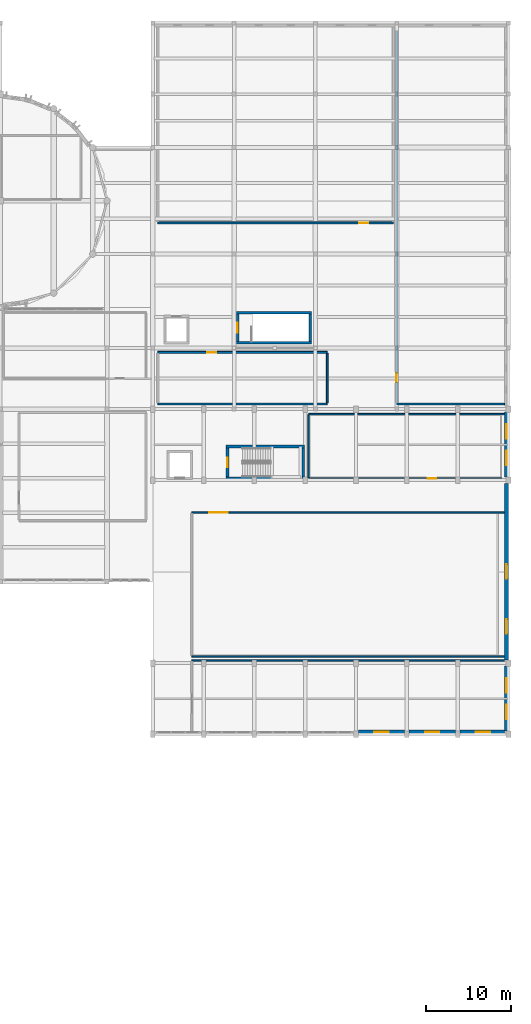
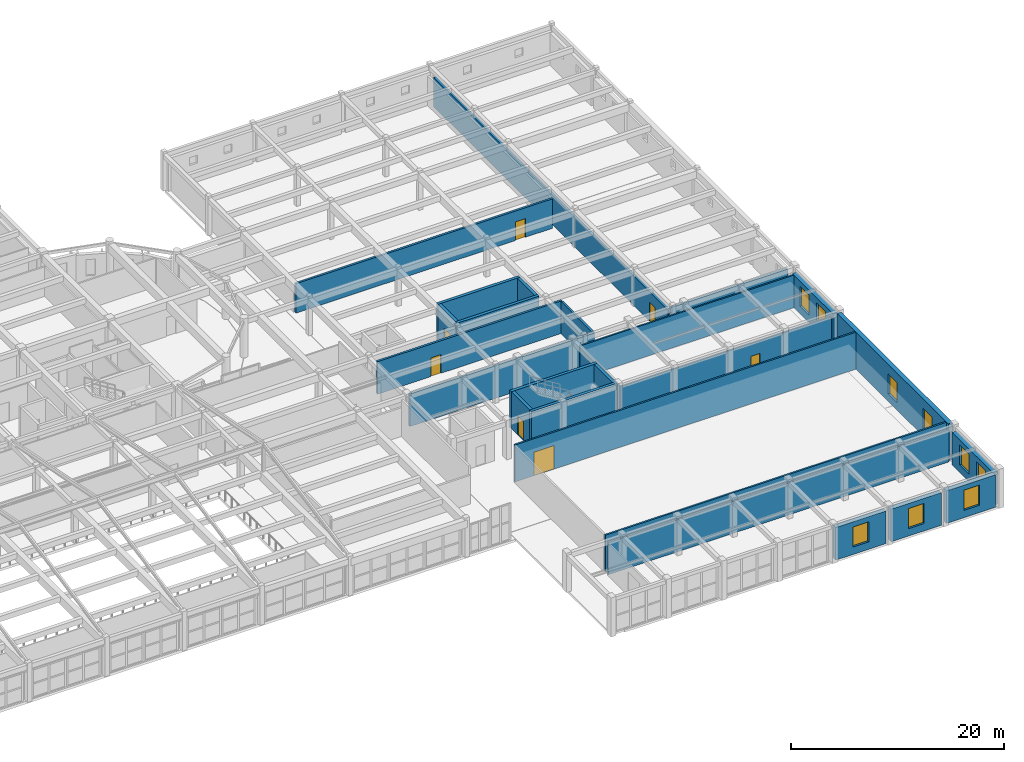
# One storey, part 73 of 91: 26 walls, 9 windows, 7 doors, 16 openings.
"""IFC4 building model written with IfcOpenShell, lengths in metres."""

from ifc_helpers import new_model, si_unit, direction, frame, frame_2d, origin, place, context, subcontext, project, spatial, rectangle, extrude, material, layer, layer_set, type_object, element, fill, save


model = new_model("IFC4")

# Units and contexts
model_context = context("Model", 3, precision=1e-05, world=origin(), true_north=direction((0.0, 1.0)))
body_context = subcontext(model_context, "Body", "Model", "MODEL_VIEW")
ifc_project = project(units=[si_unit("LENGTHUNIT", "METRE"), si_unit("AREAUNIT", "SQUARE_METRE"), si_unit("VOLUMEUNIT", "CUBIC_METRE"), si_unit("PLANEANGLEUNIT", "RADIAN"), si_unit("MASSUNIT", "GRAM", prefix="KILO")], contexts=[model_context])

# Site, building, storey
site_placement = place(None, origin())
site = spatial("IfcSite", under=ifc_project, at=site_placement, CompositionType="ELEMENT")
building_placement = place(site_placement, origin())
building = spatial("IfcBuilding", under=site, at=building_placement, Name="Tarnavel Promenade Courthouse", CompositionType="ELEMENT")
storey_placement = place(building_placement, frame((0.0, 0.0, 9.89990234375)))
storey = spatial("IfcBuildingStorey", under=building, at=storey_placement, Name="L03", CompositionType="ELEMENT", Elevation=9.89990234375)

# Wall
ifc_material_1 = material(Name="Acoustic Insulated Gypsum Stud Partition", Category="gypsum")
ifc_layer_1 = layer(ifc_material_1, 0.1650390625)
ifc_layer_set_1 = layer_set([ifc_layer_1], Name="Acoustic Insulated Gypsum Stud Partition")
wall_type_1 = type_object("IfcWallType", Name="Acoustic Insulated Gypsum Stud Partition WL-CHM-165 (165 mm)", PredefinedType="PARTITIONING", material=ifc_layer_set_1)
wall_1_placement = place(storey_placement, frame((138.39990234375, 66.60009765625, 0.0), z_axis=(0.0, 0.0, 1.0), x_axis=(1.0, 0.0, 0.0)))
element("IfcWall", 1, at=wall_1_placement, inside=storey, type_object=wall_type_1, Name="L03 Presiding Justices' Ceremonial Robing Suite Partition 0512", PredefinedType="PARTITIONING", context=body_context, shape_type="SweptSolid", body=[
    extrude(rectangle(XDim=23.1259765625, YDim=0.1650390625, at=frame_2d((11.56298828125, 0.0))), origin(), (0.0, 0.0, 1.0), 3.72998046875),
])

# Wall, opening, door
wall_2_placement = place(storey_placement, frame((161.199951171875, 59.0, 0.0), z_axis=(0.0, 0.0, 1.0), x_axis=(-1.0, 0.0, 0.0)))
wall_2 = element("IfcWall", 2, at=wall_2_placement, inside=storey, type_object=wall_type_1, Name="L03 Presiding Justices' Ceremonial Robing Suite Partition 0513", PredefinedType="PARTITIONING", context=body_context, shape_type="SweptSolid", body=[
    extrude(rectangle(XDim=22.800048828125, YDim=0.1650390625, at=frame_2d((11.39990234375, 0.0))), origin(), (0.0, 0.0, 1.0), 3.68017578125),
])
opening_1_placement = place(wall_2_placement, frame((7.741943359375, 0.0, 0.0)))
opening_1 = element("IfcOpeningElement", 3, at=opening_1_placement, cuts=wall_2, Name="Opening ID-04", PredefinedType="OPENING", context=body_context, shape_type="SweptSolid", body=[
    extrude(rectangle(XDim=0.97998046875, YDim=2.199951171875, at=frame_2d((0.489990234375, 1.10009765625))), frame((0.0, 0.092529296875, 0.0), z_axis=(0.0, -1.0, 0.0), x_axis=(1.0, 0.0, 0.0)), (0.0, 0.0, 1.0), 0.18505859375),
])
ifc_material_2 = material(Name="Solid Oak Judges Chambers Door")
door_type_1 = type_object("IfcDoorType", Name="Solid Oak Judges Chambers Door (DR-CHM-0980x2200)", OperationType="NOTDEFINED", PredefinedType="DOOR", material=ifc_material_2)
door_1_placement = place(opening_1_placement, origin())
door_1 = element("IfcDoor", 4, at=door_1_placement, inside=storey, type_object=door_type_1, Name="L03 Presiding Justices' Ceremonial Robing Suite Door 0147", OperationType="SINGLE_SWING_LEFT", OverallHeight=2.199951171875, OverallWidth=0.97998046875, PredefinedType="DOOR", context=body_context, shape_type="SweptSolid", body=[
    extrude(rectangle(XDim=0.97998046875, YDim=2.199951171875, at=frame_2d((0.489990234375, 1.10009765625))), frame((0.0, 0.02490234375, 0.0), z_axis=(0.0, -1.0, 0.0), x_axis=(1.0, 0.0, 0.0)), (0.0, 0.0, 1.0), 0.050048828125),
])
fill(opening_1, door_1)

# Walls
wall_3_placement = place(storey_placement, frame((138.39990234375, 59.092529296875, 0.0), z_axis=(0.0, 0.0, 1.0), x_axis=(0.0, 1.0, 0.0)))
element("IfcWall", 5, at=wall_3_placement, inside=storey, type_object=wall_type_1, Name="L03 Presiding Justices' Ceremonial Robing Suite Partition 0514", PredefinedType="PARTITIONING", context=body_context, shape_type="SweptSolid", body=[
    extrude(rectangle(XDim=7.4150390625, YDim=0.1650390625, at=frame_2d((3.70751953125, 0.0))), origin(), (0.0, 0.0, 1.0), 3.68017578125),
])
ifc_material_3 = material(Name="Concrete C40/50", Category="concrete")
ifc_layer_2 = layer(ifc_material_3, 0.320068359375)
ifc_layer_set_2 = layer_set([ifc_layer_2], Name="Concrete C40/50")
wall_type_2 = type_object("IfcWallType", Name="Concrete C40/50 WL-SHR-320 (320 mm)", PredefinedType="SHEAR", material=ifc_layer_set_2)
for number, where, z_axis, x_axis, name in (
    (6, (129.860107421875, 78.580078125, 0.0), (0.0, 0.0, 1.0), (1.0, 0.0, 0.0), "L03 ST-06 Shear Core North Wall"),
    (7, (138.739990234375, 75.02001953125, 0.0), (0.0, 0.0, 1.0), (-1.0, 0.0, 0.0), "L03 ST-06 Shear Core South Wall"),
):
    element("IfcWall", number, at=place(storey_placement, frame(where, z_axis=z_axis, x_axis=x_axis)), inside=storey, type_object=wall_type_2, Name=name, PredefinedType="SHEAR", context=body_context, shape_type="SweptSolid", body=[
        extrude(rectangle(XDim=8.8798828125, YDim=0.320068359375, at=frame_2d((4.43994140625, 0.0))), origin(), (0.0, 0.0, 1.0), 4.25),
    ])

# Wall, opening, door
wall_4_placement = place(storey_placement, frame((130.02001953125, 75.179931640625, 0.0), z_axis=(0.0, 0.0, 1.0), x_axis=(0.0, 1.0, 0.0)))
wall_4 = element("IfcWall", 8, at=wall_4_placement, inside=storey, type_object=wall_type_2, Name="L03 ST-06 Shear Core West Landing Wall", PredefinedType="SHEAR", context=body_context, shape_type="SweptSolid", body=[
    extrude(rectangle(XDim=3.239990234375, YDim=0.320068359375, at=frame_2d((1.6201171875, 0.0))), origin(), (0.0, 0.0, 1.0), 4.25),
])
opening_2_placement = place(wall_4_placement, frame((1.044921875, 0.0, 0.0)))
opening_2 = element("IfcOpeningElement", 9, at=opening_2_placement, cuts=wall_4, Name="Opening FD-01", PredefinedType="OPENING", context=body_context, shape_type="SweptSolid", body=[
    extrude(rectangle(XDim=1.14990234375, YDim=2.199951171875, at=frame_2d((0.574951171875, 1.10009765625))), frame((0.0, 0.169921875, 0.0), z_axis=(0.0, -1.0, 0.0), x_axis=(1.0, 0.0, 0.0)), (0.0, 0.0, 1.0), 0.340087890625),
])
ifc_material_4 = material(Name="Steel Fire-Rated Stair Core Door", Category="steel")
door_type_2 = type_object("IfcDoorType", Name="Steel Fire-Rated Stair Core Door (DR-ST-1150x2200)", OperationType="NOTDEFINED", PredefinedType="DOOR", material=ifc_material_4)
door_2_placement = place(opening_2_placement, origin())
door_2 = element("IfcDoor", 10, at=door_2_placement, inside=storey, type_object=door_type_2, Name="L03 ST-06 Protected Exit Stair Door", OperationType="SINGLE_SWING_RIGHT", OverallHeight=2.199951171875, OverallWidth=1.14990234375, PredefinedType="DOOR", context=body_context, shape_type="SweptSolid", body=[
    extrude(rectangle(XDim=1.14990234375, YDim=2.199951171875, at=frame_2d((0.574951171875, 1.10009765625))), frame((0.0, 0.02490234375, 0.0), z_axis=(0.0, -1.0, 0.0), x_axis=(1.0, 0.0, 0.0)), (0.0, 0.0, 1.0), 0.050048828125),
])
fill(opening_2, door_2)

# Walls
wall_5_placement = place(storey_placement, frame((138.580078125, 78.419921875, 0.0), z_axis=(0.0, 0.0, 1.0), x_axis=(0.0, -1.0, 0.0)))
element("IfcWall", 11, at=wall_5_placement, inside=storey, type_object=wall_type_2, Name="L03 ST-06 Shear Core East Wall", PredefinedType="SHEAR", context=body_context, shape_type="SweptSolid", body=[
    extrude(rectangle(XDim=3.239990234375, YDim=0.320068359375, at=frame_2d((1.6201171875, 0.0))), origin(), (0.0, 0.0, 1.0), 4.25),
])
for number, where, z_axis, x_axis, name in (
    (12, (128.659912109375, 62.780029296875, 0.0), (0.0, 0.0, 1.0), (1.0, 0.0, 0.0), "L03 ST-08 Shear Core North Wall"),
    (13, (137.93994140625, 59.02001953125, 0.0), (0.0, 0.0, 1.0), (-1.0, 0.0, 0.0), "L03 ST-08 Shear Core South Wall"),
):
    element("IfcWall", number, at=place(storey_placement, frame(where, z_axis=z_axis, x_axis=x_axis)), inside=storey, type_object=wall_type_2, Name=name, PredefinedType="SHEAR", context=body_context, shape_type="SweptSolid", body=[
        extrude(rectangle(XDim=9.280029296875, YDim=0.320068359375, at=frame_2d((4.64013671875, 0.0))), origin(), (0.0, 0.0, 1.0), 4.25),
    ])

# Wall, opening, door
wall_6_placement = place(storey_placement, frame((128.820068359375, 59.179931640625, 0.0), z_axis=(0.0, 0.0, 1.0), x_axis=(0.0, 1.0, 0.0)))
wall_6 = element("IfcWall", 14, at=wall_6_placement, inside=storey, type_object=wall_type_2, Name="L03 ST-08 Shear Core West Landing Wall", PredefinedType="SHEAR", context=body_context, shape_type="SweptSolid", body=[
    extrude(rectangle(XDim=3.440185546875, YDim=0.320068359375, at=frame_2d((1.72021484375, 0.0))), origin(), (0.0, 0.0, 1.0), 4.25),
])
opening_3_placement = place(wall_6_placement, frame((1.14501953125, 0.0, 0.0)))
opening_3 = element("IfcOpeningElement", 15, at=opening_3_placement, cuts=wall_6, Name="Opening FD-01", PredefinedType="OPENING", context=body_context, shape_type="SweptSolid", body=[
    extrude(rectangle(XDim=1.14990234375, YDim=2.199951171875, at=frame_2d((0.574951171875, 1.10009765625))), frame((0.0, 0.169921875, 0.0), z_axis=(0.0, -1.0, 0.0), x_axis=(1.0, 0.0, 0.0)), (0.0, 0.0, 1.0), 0.340087890625),
])
door_3_placement = place(opening_3_placement, origin())
door_3 = element("IfcDoor", 16, at=door_3_placement, inside=storey, type_object=door_type_2, Name="L03 ST-08 Protected Exit Stair Door", OperationType="SINGLE_SWING_LEFT", OverallHeight=2.199951171875, OverallWidth=1.14990234375, PredefinedType="DOOR", context=body_context, shape_type="SweptSolid", body=[
    extrude(rectangle(XDim=1.14990234375, YDim=2.199951171875, at=frame_2d((0.574951171875, 1.10009765625))), frame((0.0, 0.02490234375, 0.0), z_axis=(0.0, -1.0, 0.0), x_axis=(1.0, 0.0, 0.0)), (0.0, 0.0, 1.0), 0.050048828125),
])
fill(opening_3, door_3)

# Wall
wall_7_placement = place(storey_placement, frame((137.780029296875, 62.6201171875, 0.0), z_axis=(0.0, 0.0, 1.0), x_axis=(0.0, -1.0, 0.0)))
element("IfcWall", 17, at=wall_7_placement, inside=storey, type_object=wall_type_2, Name="L03 ST-08 Shear Core East Wall", PredefinedType="SHEAR", context=body_context, shape_type="SweptSolid", body=[
    extrude(rectangle(XDim=3.440185546875, YDim=0.320068359375, at=frame_2d((1.72021484375, 0.0))), origin(), (0.0, 0.0, 1.0), 4.25),
])

# Wall, opening, door
ifc_material_5 = material(Name="Concrete Masonry Fire Compartment Wall", Category="masonry")
ifc_layer_3 = layer(ifc_material_5, 0.22998046875)
ifc_layer_set_3 = layer_set([ifc_layer_3], Name="Concrete Masonry Fire Compartment Wall")
wall_type_3 = type_object("IfcWallType", Name="Concrete Masonry Fire Compartment Wall WL-CMP-230 (230 mm)", PredefinedType="STANDARD", material=ifc_layer_set_3)
wall_8_placement = place(storey_placement, frame((120.60009765625, 73.89990234375, 0.0), z_axis=(0.0, 0.0, 1.0), x_axis=(1.0, 0.0, 0.0)))
wall_8 = element("IfcWall", 18, at=wall_8_placement, inside=storey, type_object=wall_type_3, Name="L03 Custody Suite Trial Dock Holding Suite Partition 0515", PredefinedType="STANDARD", context=body_context, shape_type="SweptSolid", body=[
    extrude(rectangle(XDim=20.0, YDim=0.22998046875, at=frame_2d((10.0, 0.0))), origin(), (0.0, 0.0, 1.0), 3.72998046875),
])
opening_4_placement = place(wall_8_placement, frame((5.824951171875, 0.0, 0.0)))
opening_4 = element("IfcOpeningElement", 19, at=opening_4_placement, cuts=wall_8, Name="Opening SD-01", PredefinedType="OPENING", context=body_context, shape_type="SweptSolid", body=[
    extrude(rectangle(XDim=1.050048828125, YDim=2.14990234375, at=frame_2d((0.52490234375, 1.074951171875))), frame((0.0, 0.125, 0.0), z_axis=(0.0, -1.0, 0.0), x_axis=(1.0, 0.0, 0.0)), (0.0, 0.0, 1.0), 0.25),
])
ifc_material_6 = material(Name="Reinforced Steel Custody Cell Security Door", Category="concrete")
door_type_3 = type_object("IfcDoorType", Name="Reinforced Steel Custody Cell Security Door (DR-CUS-1050x2150)", OperationType="NOTDEFINED", PredefinedType="DOOR", material=ifc_material_6)
door_4_placement = place(opening_4_placement, origin())
door_4 = element("IfcDoor", 20, at=door_4_placement, inside=storey, type_object=door_type_3, Name="L03 Custody Suite Trial Dock Holding Suite Door 0148", OperationType="SINGLE_SWING_RIGHT", OverallHeight=2.14990234375, OverallWidth=1.050048828125, PredefinedType="DOOR", context=body_context, shape_type="SweptSolid", body=[
    extrude(rectangle(XDim=1.050048828125, YDim=2.14990234375, at=frame_2d((0.52490234375, 1.074951171875))), frame((0.0, 0.02490234375, 0.0), z_axis=(0.0, -1.0, 0.0), x_axis=(1.0, 0.0, 0.0)), (0.0, 0.0, 1.0), 0.050048828125),
])
fill(opening_4, door_4)

# Walls
wall_9_placement = place(storey_placement, frame((140.60009765625, 67.800048828125, 0.0), z_axis=(0.0, 0.0, 1.0), x_axis=(-1.0, 0.0, 0.0)))
element("IfcWall", 21, at=wall_9_placement, inside=storey, type_object=wall_type_3, Name="L03 Custody Suite Trial Dock Holding Suite Partition 0516", PredefinedType="STANDARD", context=body_context, shape_type="SweptSolid", body=[
    extrude(rectangle(XDim=20.0, YDim=0.22998046875, at=frame_2d((10.0, 0.0))), origin(), (0.0, 0.0, 1.0), 3.72998046875),
])
wall_10_placement = place(storey_placement, frame((140.60009765625, 73.77490234375, 0.0), z_axis=(0.0, 0.0, 1.0), x_axis=(0.0, -1.0, 0.0)))
element("IfcWall", 22, at=wall_10_placement, inside=storey, type_object=wall_type_3, Name="L03 Custody Suite Trial Dock Holding Suite Partition 0518", PredefinedType="STANDARD", context=body_context, shape_type="SweptSolid", body=[
    extrude(rectangle(XDim=5.849853515625, YDim=0.22998046875, at=frame_2d((2.9248046875, 0.0))), origin(), (0.0, 0.0, 1.0), 3.68017578125),
])
wall_11_placement = place(storey_placement, frame((161.535888671875, 67.800048828125, 0.0), z_axis=(0.0, 0.0, 1.0), x_axis=(-1.0, 0.0, 0.0)))
element("IfcWall", 23, at=wall_11_placement, inside=storey, type_object=wall_type_3, Name="L03 Custody Video-Link Hearing Suite Partition 0519", PredefinedType="STANDARD", context=body_context, shape_type="SweptSolid", body=[
    extrude(rectangle(XDim=12.73583984375, YDim=0.22998046875, at=frame_2d((6.367919921875, 0.0))), origin(), (0.0, 0.0, 1.0), 3.72998046875),
])

# Wall, opening, door
wall_12_placement = place(storey_placement, frame((148.800048828125, 67.925048828125, 0.0), z_axis=(0.0, 0.0, 1.0), x_axis=(0.0, 1.0, 0.0)))
wall_12 = element("IfcWall", 24, at=wall_12_placement, inside=storey, type_object=wall_type_3, Name="L03 Custody Video-Link Hearing Suite Partition 0520", PredefinedType="STANDARD", context=body_context, shape_type="SweptSolid", body=[
    extrude(rectangle(XDim=43.949951171875, YDim=0.22998046875, at=frame_2d((21.97509765625, 0.0))), origin(), (0.0, 0.0, 1.0), 3.380126953125),
])
opening_5_placement = place(wall_12_placement, frame((2.4599609375, 0.0, 0.0)))
opening_5 = element("IfcOpeningElement", 25, at=opening_5_placement, cuts=wall_12, Name="Opening SD-01", PredefinedType="OPENING", context=body_context, shape_type="SweptSolid", body=[
    extrude(rectangle(XDim=1.050048828125, YDim=2.14990234375, at=frame_2d((0.52490234375, 1.074951171875))), frame((0.0, 0.125, 0.0), z_axis=(0.0, -1.0, 0.0), x_axis=(1.0, 0.0, 0.0)), (0.0, 0.0, 1.0), 0.25),
])
door_5_placement = place(opening_5_placement, origin())
door_5 = element("IfcDoor", 26, at=door_5_placement, inside=storey, type_object=door_type_3, Name="L03 Custody Video-Link Hearing Suite Door 0149", OperationType="SINGLE_SWING_LEFT", OverallHeight=2.14990234375, OverallWidth=1.050048828125, PredefinedType="DOOR", context=body_context, shape_type="SweptSolid", body=[
    extrude(rectangle(XDim=1.050048828125, YDim=2.14990234375, at=frame_2d((0.52490234375, 1.074951171875))), frame((0.0, 0.02490234375, 0.0), z_axis=(0.0, -1.0, 0.0), x_axis=(1.0, 0.0, 0.0)), (0.0, 0.0, 1.0), 0.050048828125),
])
fill(opening_5, door_5)

wall_13_placement = place(storey_placement, frame((148.39990234375, 89.199951171875, 0.0), z_axis=(0.0, 0.0, 1.0), x_axis=(-1.0, 0.0, 0.0)))
wall_13 = element("IfcWall", 27, at=wall_13_placement, inside=storey, type_object=wall_type_3, Name="L03 Custody Appeals Review and Marshals' Suite Partition 0521", PredefinedType="STANDARD", context=body_context, shape_type="SweptSolid", body=[
    extrude(rectangle(XDim=27.7998046875, YDim=0.22998046875, at=frame_2d((13.89990234375, 0.0))), origin(), (0.0, 0.0, 1.0), 3.380126953125),
])
opening_6_placement = place(wall_13_placement, frame((2.955078125, 0.0, 0.0)))
opening_6 = element("IfcOpeningElement", 28, at=opening_6_placement, cuts=wall_13, Name="Opening SD-01", PredefinedType="OPENING", context=body_context, shape_type="SweptSolid", body=[
    extrude(rectangle(XDim=1.050048828125, YDim=2.14990234375, at=frame_2d((0.52490234375, 1.074951171875))), frame((0.0, 0.125, 0.0), z_axis=(0.0, -1.0, 0.0), x_axis=(1.0, 0.0, 0.0)), (0.0, 0.0, 1.0), 0.25),
])
door_6_placement = place(opening_6_placement, origin())
door_6 = element("IfcDoor", 29, at=door_6_placement, inside=storey, type_object=door_type_3, Name="L03 Custody Appeals Review and Marshals' Suite Door 0150", OperationType="SINGLE_SWING_RIGHT", OverallHeight=2.14990234375, OverallWidth=1.050048828125, PredefinedType="DOOR", context=body_context, shape_type="SweptSolid", body=[
    extrude(rectangle(XDim=1.050048828125, YDim=2.14990234375, at=frame_2d((0.52490234375, 1.074951171875))), frame((0.0, 0.02490234375, 0.0), z_axis=(0.0, -1.0, 0.0), x_axis=(1.0, 0.0, 0.0)), (0.0, 0.0, 1.0), 0.050048828125),
])
fill(opening_6, door_6)

ifc_material_7 = material(Name="Double-Stud Acoustic Courtroom Partition Assembly", Category="gypsum")
ifc_layer_4 = layer(ifc_material_7, 0.18505859375)
ifc_layer_set_4 = layer_set([ifc_layer_4], Name="Double-Stud Acoustic Courtroom Partition Assembly")
wall_type_4 = type_object("IfcWallType", Name="Double-Stud Acoustic Courtroom Partition Assembly WL-CRT-185 (185 mm)", PredefinedType="PARTITIONING", material=ifc_layer_set_4)
wall_14_placement = place(storey_placement, frame((124.60009765625, 55.0, 0.0), z_axis=(0.0, 0.0, 1.0), x_axis=(1.0, 0.0, 0.0)))
wall_14 = element("IfcWall", 30, at=wall_14_placement, inside=storey, type_object=wall_type_4, Name="L03 Ceremonial Courtroom Partition 0507", PredefinedType="PARTITIONING", context=body_context, shape_type="SweptSolid", body=[
    extrude(rectangle(XDim=36.92578125, YDim=0.18505859375, at=frame_2d((18.462890625, 0.0))), origin(), (0.0, 0.0, 1.0), 4.235107421875),
])
opening_7_placement = place(wall_14_placement, frame((2.05126953125, 0.0, 0.0)))
opening_7 = element("IfcOpeningElement", 31, at=opening_7_placement, cuts=wall_14, Name="Opening ID-02", PredefinedType="OPENING", context=body_context, shape_type="SweptSolid", body=[
    extrude(rectangle(XDim=2.199951171875, YDim=2.699951171875, at=frame_2d((1.10009765625, 1.35009765625))), frame((0.0, 0.1025390625, 0.0), z_axis=(0.0, -1.0, 0.0), x_axis=(1.0, 0.0, 0.0)), (0.0, 0.0, 1.0), 0.205078125),
])
ifc_material_8 = material(Name="Carved Walnut Ceremonial Courtroom Double Door")
door_type_4 = type_object("IfcDoorType", Name="Carved Walnut Ceremonial Courtroom Double Door (DR-CER-2200x2700)", OperationType="NOTDEFINED", PredefinedType="DOOR", material=ifc_material_8)
door_7_placement = place(opening_7_placement, origin())
door_7 = element("IfcDoor", 32, at=door_7_placement, inside=storey, type_object=door_type_4, Name="L03 Ceremonial Courtroom Door 0145", OperationType="DOUBLE_DOOR_SINGLE_SWING", OverallHeight=2.699951171875, OverallWidth=2.199951171875, PredefinedType="DOOR", context=body_context, shape_type="SweptSolid", body=[
    extrude(rectangle(XDim=2.199951171875, YDim=2.699951171875, at=frame_2d((1.10009765625, 1.35009765625))), frame((0.0, 0.02490234375, 0.0), z_axis=(0.0, -1.0, 0.0), x_axis=(1.0, 0.0, 0.0)), (0.0, 0.0, 1.0), 0.050048828125),
])
fill(opening_7, door_7)

# Walls
wall_15_placement = place(storey_placement, frame((161.52587890625, 38.0, 0.0), z_axis=(0.0, 0.0, 1.0), x_axis=(-1.0, 0.0, 0.0)))
element("IfcWall", 33, at=wall_15_placement, inside=storey, type_object=wall_type_4, Name="L03 Ceremonial Courtroom Partition 0508", PredefinedType="PARTITIONING", context=body_context, shape_type="SweptSolid", body=[
    extrude(rectangle(XDim=36.92578125, YDim=0.18505859375, at=frame_2d((18.462890625, 0.0))), origin(), (0.0, 0.0, 1.0), 4.235107421875),
])
wall_16_placement = place(storey_placement, frame((124.60009765625, 37.5, 0.0), z_axis=(0.0, 0.0, 1.0), x_axis=(1.0, 0.0, 0.0)))
element("IfcWall", 34, at=wall_16_placement, inside=storey, type_object=wall_type_4, Name="L03 Ceremonial Courtroom South Public Gallery Partition 0510", PredefinedType="PARTITIONING", context=body_context, shape_type="SweptSolid", body=[
    extrude(rectangle(XDim=36.92578125, YDim=0.18505859375, at=frame_2d((18.462890625, 0.0))), origin(), (0.0, 0.0, 1.0), 3.68017578125),
])

# Wall, openings, windows
ifc_material_9 = material(Name="Limestone Ashlar Faced Insulated Brick Masonry", Category="masonry")
ifc_layer_5 = layer(ifc_material_9, 0.47998046875)
ifc_layer_set_5 = layer_set([ifc_layer_5], Name="Limestone Ashlar Faced Insulated Brick Masonry")
wall_type_5 = type_object("IfcWallType", Name="Limestone Ashlar Faced Insulated Brick Masonry WL-EXT-480 (480 mm)", PredefinedType="STANDARD", material=ifc_layer_set_5)
wall_17_placement = place(storey_placement, frame((161.760009765625, 36.8330078125, 0.0), z_axis=(0.0, 0.0, 1.0), x_axis=(0.0, -1.0, 0.0)))
wall_17 = element("IfcWall", 35, at=wall_17_placement, inside=storey, type_object=wall_type_5, Name="L03 Ceremonial Pavilion East Stone Facade 0387", PredefinedType="STANDARD", context=body_context, shape_type="SweptSolid", body=[
    extrude(rectangle(XDim=7.666015625, YDim=0.47998046875, at=frame_2d((3.8330078125, 0.0))), origin(), (0.0, 0.0, 1.0), 3.72998046875),
])
opening_8_placement = place(wall_17_placement, frame((1.407958984375, 0.0, 0.85009765625)))
opening_8 = element("IfcOpeningElement", 36, at=opening_8_placement, cuts=wall_17, Name="Opening W-01", PredefinedType="OPENING", context=body_context, shape_type="SweptSolid", body=[
    extrude(rectangle(XDim=1.699951171875, YDim=2.300048828125, at=frame_2d((0.85009765625, 1.14990234375))), frame((0.0, 0.25, 0.0), z_axis=(0.0, -1.0, 0.0), x_axis=(1.0, 0.0, 0.0)), (0.0, 0.0, 1.0), 0.5),
])
opening_9_placement = place(wall_17_placement, frame((4.55810546875, 0.0, 0.85009765625)))
opening_9 = element("IfcOpeningElement", 37, at=opening_9_placement, cuts=wall_17, Name="Opening W-01", PredefinedType="OPENING", context=body_context, shape_type="SweptSolid", body=[
    extrude(rectangle(XDim=1.699951171875, YDim=2.300048828125, at=frame_2d((0.85009765625, 1.14990234375))), frame((0.0, 0.25, 0.0), z_axis=(0.0, -1.0, 0.0), x_axis=(1.0, 0.0, 0.0)), (0.0, 0.0, 1.0), 0.5),
])
ifc_material_10 = material(Name="Triple Low-E Glazed Bronze-Clad Window Assembly")
window_type = type_object("IfcWindowType", Name="Triple-Glazed Bronze-Clad Timber-Aluminium WIN-CRT-1700x2300", PartitioningType="SINGLE_PANEL", PredefinedType="WINDOW", material=ifc_material_10)
window_1_placement = place(opening_8_placement, origin())
window_1 = element("IfcWindow", 38, at=window_1_placement, inside=storey, type_object=window_type, Name="L03 Exterior Window 0468", OverallHeight=2.300048828125, OverallWidth=1.699951171875, PartitioningType="SINGLE_PANEL", PredefinedType="WINDOW", context=body_context, shape_type="SweptSolid", body=[
    extrude(rectangle(XDim=1.699951171875, YDim=2.300048828125, at=frame_2d((0.85009765625, 1.14990234375))), frame((0.0, 0.030029296875, 0.0), z_axis=(0.0, -1.0, 0.0), x_axis=(1.0, 0.0, 0.0)), (0.0, 0.0, 1.0), 0.06005859375),
])
fill(opening_8, window_1)
window_2_placement = place(opening_9_placement, origin())
window_2 = element("IfcWindow", 39, at=window_2_placement, inside=storey, type_object=window_type, Name="L03 Exterior Window 0469", OverallHeight=2.300048828125, OverallWidth=1.699951171875, PartitioningType="SINGLE_PANEL", PredefinedType="WINDOW", context=body_context, shape_type="SweptSolid", body=[
    extrude(rectangle(XDim=1.699951171875, YDim=2.300048828125, at=frame_2d((0.85009765625, 1.14990234375))), frame((0.0, 0.030029296875, 0.0), z_axis=(0.0, -1.0, 0.0), x_axis=(1.0, 0.0, 0.0)), (0.0, 0.0, 1.0), 0.06005859375),
])
fill(opening_9, window_2)

wall_18_placement = place(storey_placement, frame((161.760009765625, 58.43310546875, 0.0), z_axis=(0.0, 0.0, 1.0), x_axis=(0.0, -1.0, 0.0)))
wall_18 = element("IfcWall", 40, at=wall_18_placement, inside=storey, type_object=wall_type_5, Name="L03 Ceremonial Pavilion East Stone Facade 0388", PredefinedType="STANDARD", context=body_context, shape_type="SweptSolid", body=[
    extrude(rectangle(XDim=20.8662109375, YDim=0.47998046875, at=frame_2d((10.43310546875, 0.0))), origin(), (0.0, 0.0, 1.0), 4.239990234375),
])
opening_10_placement = place(wall_18_placement, frame((9.5830078125, 0.0, 0.85009765625)))
opening_10 = element("IfcOpeningElement", 41, at=opening_10_placement, cuts=wall_18, Name="Opening W-01", PredefinedType="OPENING", context=body_context, shape_type="SweptSolid", body=[
    extrude(rectangle(XDim=1.699951171875, YDim=2.300048828125, at=frame_2d((0.85009765625, 1.14990234375))), frame((0.0, 0.25, 0.0), z_axis=(0.0, -1.0, 0.0), x_axis=(1.0, 0.0, 0.0)), (0.0, 0.0, 1.0), 0.5),
])
opening_11_placement = place(wall_18_placement, frame((16.0830078125, 0.0, 0.85009765625)))
opening_11 = element("IfcOpeningElement", 42, at=opening_11_placement, cuts=wall_18, Name="Opening W-01", PredefinedType="OPENING", context=body_context, shape_type="SweptSolid", body=[
    extrude(rectangle(XDim=1.699951171875, YDim=2.300048828125, at=frame_2d((0.85009765625, 1.14990234375))), frame((0.0, 0.25, 0.0), z_axis=(0.0, -1.0, 0.0), x_axis=(1.0, 0.0, 0.0)), (0.0, 0.0, 1.0), 0.5),
])
window_3_placement = place(opening_10_placement, origin())
window_3 = element("IfcWindow", 43, at=window_3_placement, inside=storey, type_object=window_type, Name="L03 Exterior Window 0470", OverallHeight=2.300048828125, OverallWidth=1.699951171875, PartitioningType="SINGLE_PANEL", PredefinedType="WINDOW", context=body_context, shape_type="SweptSolid", body=[
    extrude(rectangle(XDim=1.699951171875, YDim=2.300048828125, at=frame_2d((0.85009765625, 1.14990234375))), frame((0.0, 0.030029296875, 0.0), z_axis=(0.0, -1.0, 0.0), x_axis=(1.0, 0.0, 0.0)), (0.0, 0.0, 1.0), 0.06005859375),
])
fill(opening_10, window_3)
window_4_placement = place(opening_11_placement, origin())
window_4 = element("IfcWindow", 44, at=window_4_placement, inside=storey, type_object=window_type, Name="L03 Exterior Window 0471", OverallHeight=2.300048828125, OverallWidth=1.699951171875, PartitioningType="SINGLE_PANEL", PredefinedType="WINDOW", context=body_context, shape_type="SweptSolid", body=[
    extrude(rectangle(XDim=1.699951171875, YDim=2.300048828125, at=frame_2d((0.85009765625, 1.14990234375))), frame((0.0, 0.030029296875, 0.0), z_axis=(0.0, -1.0, 0.0), x_axis=(1.0, 0.0, 0.0)), (0.0, 0.0, 1.0), 0.06005859375),
])
fill(opening_11, window_4)

wall_19_placement = place(storey_placement, frame((161.760009765625, 66.8330078125, 0.0), z_axis=(0.0, 0.0, 1.0), x_axis=(0.0, -1.0, 0.0)))
wall_19 = element("IfcWall", 45, at=wall_19_placement, inside=storey, type_object=wall_type_5, Name="L03 Ceremonial Pavilion East Stone Facade 0389", PredefinedType="STANDARD", context=body_context, shape_type="SweptSolid", body=[
    extrude(rectangle(XDim=7.666015625, YDim=0.47998046875, at=frame_2d((3.8330078125, 0.0))), origin(), (0.0, 0.0, 1.0), 3.72998046875),
])
opening_12_placement = place(wall_19_placement, frame((1.407958984375, 0.0, 0.85009765625)))
opening_12 = element("IfcOpeningElement", 46, at=opening_12_placement, cuts=wall_19, Name="Opening W-01", PredefinedType="OPENING", context=body_context, shape_type="SweptSolid", body=[
    extrude(rectangle(XDim=1.699951171875, YDim=2.300048828125, at=frame_2d((0.85009765625, 1.14990234375))), frame((0.0, 0.25, 0.0), z_axis=(0.0, -1.0, 0.0), x_axis=(1.0, 0.0, 0.0)), (0.0, 0.0, 1.0), 0.5),
])
opening_13_placement = place(wall_19_placement, frame((4.55810546875, 0.0, 0.85009765625)))
opening_13 = element("IfcOpeningElement", 47, at=opening_13_placement, cuts=wall_19, Name="Opening W-01", PredefinedType="OPENING", context=body_context, shape_type="SweptSolid", body=[
    extrude(rectangle(XDim=1.699951171875, YDim=2.300048828125, at=frame_2d((0.85009765625, 1.14990234375))), frame((0.0, 0.25, 0.0), z_axis=(0.0, -1.0, 0.0), x_axis=(1.0, 0.0, 0.0)), (0.0, 0.0, 1.0), 0.5),
])
window_5_placement = place(opening_12_placement, origin())
window_5 = element("IfcWindow", 48, at=window_5_placement, inside=storey, type_object=window_type, Name="L03 Exterior Window 0472", OverallHeight=2.300048828125, OverallWidth=1.699951171875, PartitioningType="SINGLE_PANEL", PredefinedType="WINDOW", context=body_context, shape_type="SweptSolid", body=[
    extrude(rectangle(XDim=1.699951171875, YDim=2.300048828125, at=frame_2d((0.85009765625, 1.14990234375))), frame((0.0, 0.030029296875, 0.0), z_axis=(0.0, -1.0, 0.0), x_axis=(1.0, 0.0, 0.0)), (0.0, 0.0, 1.0), 0.06005859375),
])
fill(opening_12, window_5)
window_6_placement = place(opening_13_placement, origin())
window_6 = element("IfcWindow", 49, at=window_6_placement, inside=storey, type_object=window_type, Name="L03 Exterior Window 0473", OverallHeight=2.300048828125, OverallWidth=1.699951171875, PartitioningType="SINGLE_PANEL", PredefinedType="WINDOW", context=body_context, shape_type="SweptSolid", body=[
    extrude(rectangle(XDim=1.699951171875, YDim=2.300048828125, at=frame_2d((0.85009765625, 1.14990234375))), frame((0.0, 0.030029296875, 0.0), z_axis=(0.0, -1.0, 0.0), x_axis=(1.0, 0.0, 0.0)), (0.0, 0.0, 1.0), 0.06005859375),
])
fill(opening_13, window_6)

# Wall, opening, window
wall_20_placement = place(storey_placement, frame((149.73291015625, 29.0400390625, 0.0), z_axis=(0.0, 0.0, 1.0), x_axis=(-1.0, 0.0, 0.0)))
wall_20 = element("IfcWall", 50, at=wall_20_placement, inside=storey, type_object=wall_type_5, Name="L03 Ceremonial Pavilion Upper South Facade 0390", PredefinedType="STANDARD", context=body_context, shape_type="SweptSolid", body=[
    extrude(rectangle(XDim=5.4658203125, YDim=0.47998046875, at=frame_2d((2.73291015625, 0.0))), origin(), (0.0, 0.0, 1.0), 3.72998046875),
])
opening_14_placement = place(wall_20_placement, frame((1.883056640625, 0.0, 0.85009765625)))
opening_14 = element("IfcOpeningElement", 51, at=opening_14_placement, cuts=wall_20, Name="Opening W-01", PredefinedType="OPENING", context=body_context, shape_type="SweptSolid", body=[
    extrude(rectangle(XDim=1.699951171875, YDim=2.300048828125, at=frame_2d((0.85009765625, 1.14990234375))), frame((0.0, 0.25, 0.0), z_axis=(0.0, -1.0, 0.0), x_axis=(1.0, 0.0, 0.0)), (0.0, 0.0, 1.0), 0.5),
])
window_7_placement = place(opening_14_placement, origin())
window_7 = element("IfcWindow", 52, at=window_7_placement, inside=storey, type_object=window_type, Name="L03 Exterior Window 0474", OverallHeight=2.300048828125, OverallWidth=1.699951171875, PartitioningType="SINGLE_PANEL", PredefinedType="WINDOW", context=body_context, shape_type="SweptSolid", body=[
    extrude(rectangle(XDim=1.699951171875, YDim=2.300048828125, at=frame_2d((0.85009765625, 1.14990234375))), frame((0.0, 0.030029296875, 0.0), z_axis=(0.0, -1.0, 0.0), x_axis=(1.0, 0.0, 0.0)), (0.0, 0.0, 1.0), 0.06005859375),
])
fill(opening_14, window_7)

wall_21_placement = place(storey_placement, frame((155.73291015625, 29.0400390625, 0.0), z_axis=(0.0, 0.0, 1.0), x_axis=(-1.0, 0.0, 0.0)))
wall_21 = element("IfcWall", 53, at=wall_21_placement, inside=storey, type_object=wall_type_5, Name="L03 Ceremonial Pavilion Upper South Facade 0391", PredefinedType="STANDARD", context=body_context, shape_type="SweptSolid", body=[
    extrude(rectangle(XDim=5.4658203125, YDim=0.47998046875, at=frame_2d((2.73291015625, 0.0))), origin(), (0.0, 0.0, 1.0), 3.72998046875),
])
opening_15_placement = place(wall_21_placement, frame((1.883056640625, 0.0, 0.85009765625)))
opening_15 = element("IfcOpeningElement", 54, at=opening_15_placement, cuts=wall_21, Name="Opening W-01", PredefinedType="OPENING", context=body_context, shape_type="SweptSolid", body=[
    extrude(rectangle(XDim=1.699951171875, YDim=2.300048828125, at=frame_2d((0.85009765625, 1.14990234375))), frame((0.0, 0.25, 0.0), z_axis=(0.0, -1.0, 0.0), x_axis=(1.0, 0.0, 0.0)), (0.0, 0.0, 1.0), 0.5),
])
window_8_placement = place(opening_15_placement, origin())
window_8 = element("IfcWindow", 55, at=window_8_placement, inside=storey, type_object=window_type, Name="L03 Exterior Window 0475", OverallHeight=2.300048828125, OverallWidth=1.699951171875, PartitioningType="SINGLE_PANEL", PredefinedType="WINDOW", context=body_context, shape_type="SweptSolid", body=[
    extrude(rectangle(XDim=1.699951171875, YDim=2.300048828125, at=frame_2d((0.85009765625, 1.14990234375))), frame((0.0, 0.030029296875, 0.0), z_axis=(0.0, -1.0, 0.0), x_axis=(1.0, 0.0, 0.0)), (0.0, 0.0, 1.0), 0.06005859375),
])
fill(opening_15, window_8)

wall_22_placement = place(storey_placement, frame((161.550048828125, 29.0400390625, 0.0), z_axis=(0.0, 0.0, 1.0), x_axis=(-1.0, 0.0, 0.0)))
wall_22 = element("IfcWall", 56, at=wall_22_placement, inside=storey, type_object=wall_type_5, Name="L03 Ceremonial Pavilion Upper South Facade 0392", PredefinedType="STANDARD", context=body_context, shape_type="SweptSolid", body=[
    extrude(rectangle(XDim=5.282958984375, YDim=0.47998046875, at=frame_2d((2.6416015625, 0.0))), origin(), (0.0, 0.0, 1.0), 3.72998046875),
])
opening_16_placement = place(wall_22_placement, frame((1.699951171875, 0.0, 0.85009765625)))
opening_16 = element("IfcOpeningElement", 57, at=opening_16_placement, cuts=wall_22, Name="Opening W-01", PredefinedType="OPENING", context=body_context, shape_type="SweptSolid", body=[
    extrude(rectangle(XDim=1.699951171875, YDim=2.300048828125, at=frame_2d((0.85009765625, 1.14990234375))), frame((0.0, 0.25, 0.0), z_axis=(0.0, -1.0, 0.0), x_axis=(1.0, 0.0, 0.0)), (0.0, 0.0, 1.0), 0.5),
])
window_9_placement = place(opening_16_placement, origin())
window_9 = element("IfcWindow", 58, at=window_9_placement, inside=storey, type_object=window_type, Name="L03 Exterior Window 0476", OverallHeight=2.300048828125, OverallWidth=1.699951171875, PartitioningType="SINGLE_PANEL", PredefinedType="WINDOW", context=body_context, shape_type="SweptSolid", body=[
    extrude(rectangle(XDim=1.699951171875, YDim=2.300048828125, at=frame_2d((0.85009765625, 1.14990234375))), frame((0.0, 0.030029296875, 0.0), z_axis=(0.0, -1.0, 0.0), x_axis=(1.0, 0.0, 0.0)), (0.0, 0.0, 1.0), 0.06005859375),
])
fill(opening_16, window_9)

save(model, "model.ifc")
